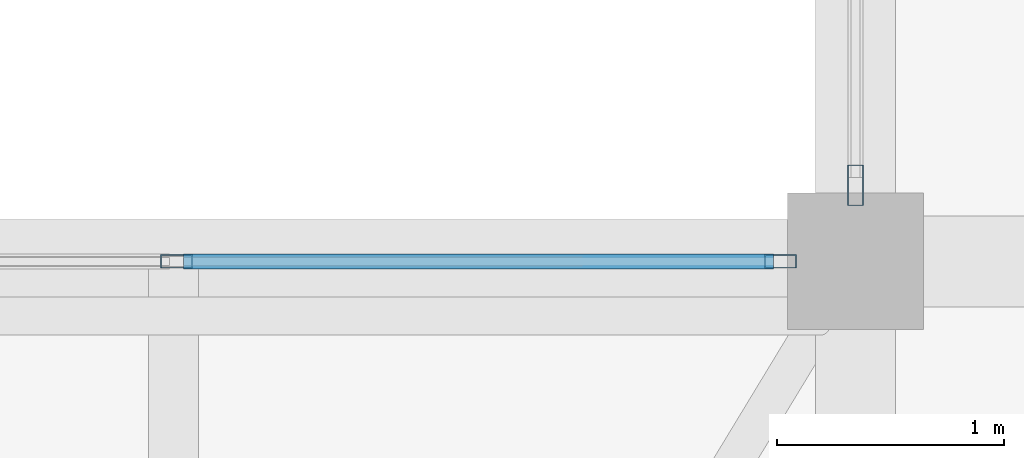
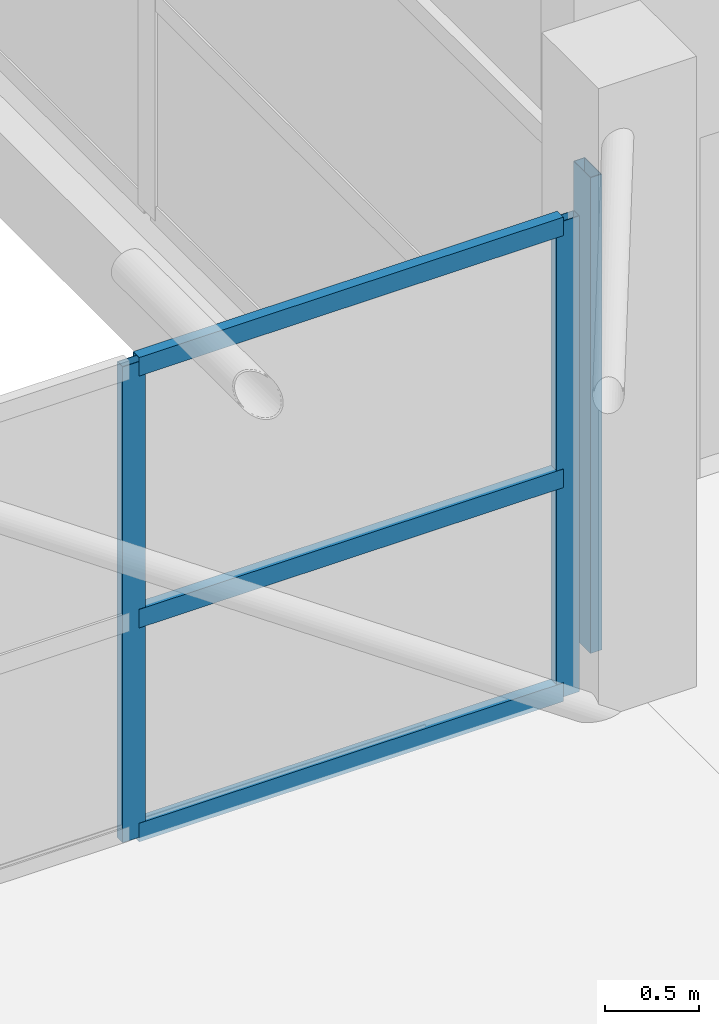
# One storey, part 19 of 70: 6 members, 2 elements without a shape of their own.
"""IFC4 building model written with IfcOpenShell, lengths in metres."""

from ifc_helpers import new_model, si_unit, direction, frame, origin, origin_2d, place, context, subcontext, project, spatial, hollow_rectangle, extrude, material, layer, layer_set, material_profile, profile_set, type_object, element, aggregate, save


model = new_model("IFC4")

# Units and contexts
model_context = context("Model", 3, precision=1e-05, world=origin(), true_north=direction((0.0, 1.0)))
body_context = subcontext(model_context, "Body", "Model", "MODEL_VIEW")
ifc_project = project(units=[si_unit("LENGTHUNIT", "METRE"), si_unit("AREAUNIT", "SQUARE_METRE"), si_unit("VOLUMEUNIT", "CUBIC_METRE"), si_unit("PLANEANGLEUNIT", "RADIAN"), si_unit("MASSUNIT", "GRAM", prefix="KILO")], contexts=[model_context])

# Site, building, storey
site_placement = place(None, origin())
site = spatial("IfcSite", under=ifc_project, at=site_placement, CompositionType="ELEMENT")
building_placement = place(site_placement, origin())
building = spatial("IfcBuilding", under=site, at=building_placement, Name="Sillaruma Civic Art Gallery", CompositionType="ELEMENT")
storey_placement = place(building_placement, frame((0.0, 0.0, 66.300048828125)))
storey = spatial("IfcBuildingStorey", under=building, at=storey_placement, Name="L13", CompositionType="ELEMENT", Elevation=66.300048828125)

# Curtain wall, members
ifc_material = material(Name="Thermally Broken Extruded Aluminium 6063-T6", Category="aluminium")
ifc_layer_1 = layer(ifc_material, 0.139892578125, Name="Thermally Broken Extruded Aluminium 6063-T6")
ifc_layer_set_1 = layer_set([ifc_layer_1], Name="Thermally Broken Extruded Aluminium 6063-T6")
curtain_wall_type_1 = type_object("IfcCurtainWallType", Name="CW-UNI-108", PredefinedType="NOTDEFINED", material=ifc_layer_set_1)
curtain_wall_1_placement = place(storey_placement, origin())
curtain_wall_1 = element("IfcCurtainWall", 1, at=curtain_wall_1_placement, inside=storey, type_object=curtain_wall_type_1, Name="Unitised Curtain Wall CW-108 (CW-BRG-S-L13-N)", PredefinedType="NOTDEFINED")
ifc_material_profile_1 = material_profile(ifc_material, hollow_rectangle(XDim=0.06005859375, YDim=0.139892578125, WallThickness=0.00341796875, at=origin_2d()), Name="CWM60x140")
ifc_profile_set_1 = profile_set([ifc_material_profile_1], Name="Thermally Broken Extruded Aluminium 6063-T6")
member_type_1 = type_object("IfcMemberType", Name="MEM-MUL-CWM60x140", PredefinedType="MULLION", material=ifc_profile_set_1)
member_1_placement = place(storey_placement, frame((95.012451171875, 49.5, 0.0), z_axis=(0.0, 0.0, 1.0), x_axis=(0.0, 1.0, 0.0)))
member_1 = element("IfcMember", 2, at=member_1_placement, type_object=member_type_1, Name="CW-108 mullion 2", PredefinedType="MULLION", context=body_context, shape_type="SweptSolid", body=[
    extrude(hollow_rectangle(XDim=0.06005859375, YDim=0.139892578125, WallThickness=0.00341796875, at=origin_2d()), origin(), (0.0, 0.0, 1.0), 3.079833984375),
])
member_2_placement = place(storey_placement, frame((97.669921875, 49.5, 0.0), z_axis=(0.0, 0.0, 1.0), x_axis=(0.0, 1.0, 0.0)))
member_2 = element("IfcMember", 3, at=member_2_placement, type_object=member_type_1, Name="CW-108 mullion 3", PredefinedType="MULLION", context=body_context, shape_type="SweptSolid", body=[
    extrude(hollow_rectangle(XDim=0.06005859375, YDim=0.139892578125, WallThickness=0.00341796875, at=origin_2d()), origin(), (0.0, 0.0, 1.0), 3.079833984375),
])

# Curtain wall, member
ifc_layer_2 = layer(ifc_material, 0.179931640625, Name="Thermally Broken Extruded Aluminium 6063-T6")
ifc_layer_set_2 = layer_set([ifc_layer_2], Name="Thermally Broken Extruded Aluminium 6063-T6")
curtain_wall_type_2 = type_object("IfcCurtainWallType", Name="CW-UNI-100", PredefinedType="NOTDEFINED", material=ifc_layer_set_2)
curtain_wall_2_placement = place(storey_placement, origin())
curtain_wall_2 = element("IfcCurtainWall", 4, at=curtain_wall_2_placement, inside=storey, type_object=curtain_wall_type_2, Name="Unitised Curtain Wall CW-100 (CW-L13-EBW-4)", PredefinedType="NOTDEFINED")
ifc_material_profile_2 = material_profile(ifc_material, hollow_rectangle(XDim=0.070068359375, YDim=0.179931640625, WallThickness=0.00390625, at=origin_2d()), Name="CWM70x180")
ifc_profile_set_2 = profile_set([ifc_material_profile_2], Name="Thermally Broken Extruded Aluminium 6063-T6")
member_type_2 = type_object("IfcMemberType", Name="MEM-MUL-CWM70x180", PredefinedType="MULLION", material=ifc_profile_set_2)
member_3_placement = place(storey_placement, frame((98.0, 49.8349609375, 0.0), z_axis=(0.0, 0.0, 1.0), x_axis=(-1.0, 0.0, 0.0)))
member_3 = element("IfcMember", 5, at=member_3_placement, type_object=member_type_2, Name="CW-100 mullion 1", PredefinedType="MULLION", context=body_context, shape_type="SweptSolid", body=[
    extrude(hollow_rectangle(XDim=0.070068359375, YDim=0.179931640625, WallThickness=0.00390625, at=origin_2d()), origin(), (0.0, 0.0, 1.0), 3.079833984375),
])
aggregate(curtain_wall_2, [member_3])

# Member
ifc_material_profile_3 = material_profile(ifc_material, hollow_rectangle(XDim=0.06494140625, YDim=0.1201171875, WallThickness=0.00341796875, at=origin_2d()), Name="CWT65x120")
ifc_profile_set_3 = profile_set([ifc_material_profile_3], Name="Thermally Broken Extruded Aluminium 6063-T6")
member_type_3 = type_object("IfcMemberType", Name="MEM-TRN-CWT65x120", PredefinedType="USERDEFINED", material=ifc_profile_set_3)
member_4_placement = place(storey_placement, frame((95.04248046875, 49.5, 0.032470703125), z_axis=(1.0, 0.0, 0.0), x_axis=(0.0, 1.0, 0.0)))
member_4 = element("IfcMember", 6, at=member_4_placement, type_object=member_type_3, Name="CW-108 transom 2.1", ObjectType="TRANSOM", PredefinedType="USERDEFINED", context=body_context, shape_type="SweptSolid", body=[
    extrude(hollow_rectangle(XDim=0.06494140625, YDim=0.1201171875, WallThickness=0.00341796875, at=origin_2d()), origin(), (0.0, 0.0, 1.0), 2.597412109375),
])

member_5_placement = place(storey_placement, frame((95.04248046875, 49.5, 1.416748046875), z_axis=(1.0, 0.0, 0.0), x_axis=(0.0, 1.0, 0.0)))
member_5 = element("IfcMember", 7, at=member_5_placement, type_object=member_type_3, Name="CW-108 transom 2.2", ObjectType="TRANSOM", PredefinedType="USERDEFINED", context=body_context, shape_type="SweptSolid", body=[
    extrude(hollow_rectangle(XDim=0.06494140625, YDim=0.1201171875, WallThickness=0.00341796875, at=origin_2d()), origin(), (0.0, 0.0, 1.0), 2.597412109375),
])

member_6_placement = place(storey_placement, frame((95.04248046875, 49.5, 3.04736328125), z_axis=(1.0, 0.0, 0.0), x_axis=(0.0, 1.0, 0.0)))
member_6 = element("IfcMember", 8, at=member_6_placement, type_object=member_type_3, Name="CW-108 transom 2.3", ObjectType="TRANSOM", PredefinedType="USERDEFINED", context=body_context, shape_type="SweptSolid", body=[
    extrude(hollow_rectangle(XDim=0.06494140625, YDim=0.1201171875, WallThickness=0.00341796875, at=origin_2d()), origin(), (0.0, 0.0, 1.0), 2.597412109375),
])

aggregate(curtain_wall_1, [member_1, member_2, member_4, member_5, member_6])

save(model, "model.ifc")
